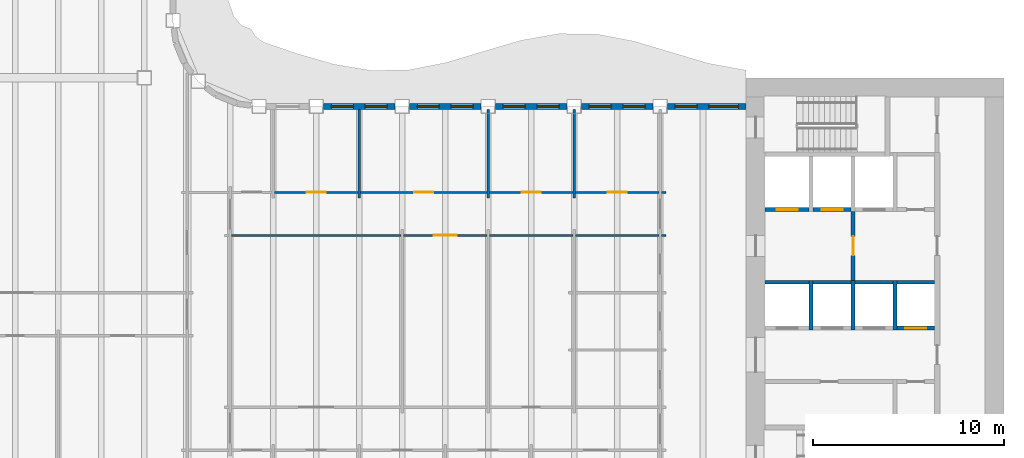
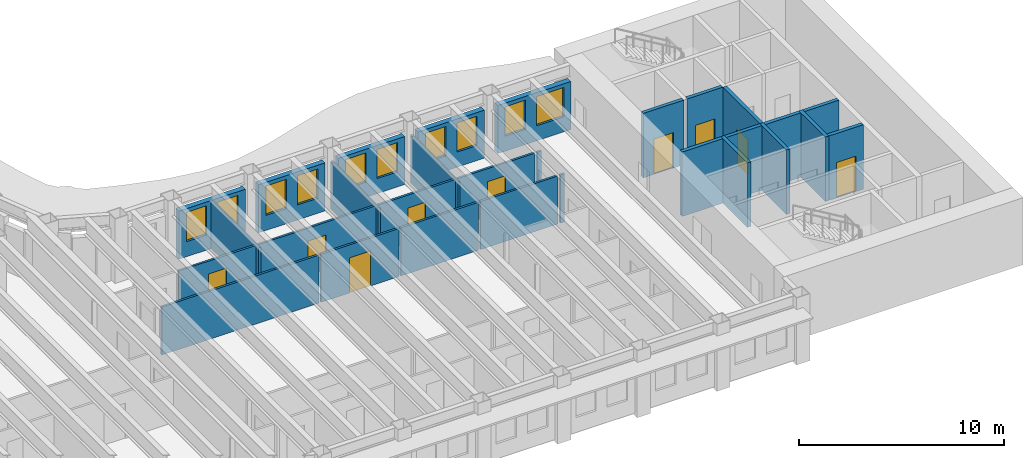
# One storey, part 7 of 17: 29 walls, 10 windows, 9 doors, 19 openings.
"""IFC4 building model written with IfcOpenShell, lengths in metres."""

from ifc_helpers import new_model, si_unit, direction, frame, frame_2d, origin, place, context, subcontext, project, spatial, rectangle, extrude, material, layer, layer_set, type_object, element, fill, save


model = new_model("IFC4")

# Units and contexts
model_context = context("Model", 3, precision=1e-05, world=origin(), true_north=direction((0.0, 1.0)))
body_context = subcontext(model_context, "Body", "Model", "MODEL_VIEW")
ifc_project = project(units=[si_unit("LENGTHUNIT", "METRE"), si_unit("AREAUNIT", "SQUARE_METRE"), si_unit("VOLUMEUNIT", "CUBIC_METRE"), si_unit("PLANEANGLEUNIT", "RADIAN"), si_unit("MASSUNIT", "GRAM", prefix="KILO")], contexts=[model_context])

# Site, building, storey
site_placement = place(None, origin())
site = spatial("IfcSite", under=ifc_project, at=site_placement, CompositionType="ELEMENT")
building_placement = place(site_placement, origin())
building = spatial("IfcBuilding", under=site, at=building_placement, Name="Sennacour Bend Tower", CompositionType="ELEMENT")
storey_placement = place(building_placement, frame((0.0, 0.0, 195.0)))
storey = spatial("IfcBuildingStorey", under=building, at=storey_placement, Name="L44", CompositionType="ELEMENT", Elevation=195.0)

# Walls
ifc_material_1 = material(Name="Plasterboard partition on steel studs", Category="steel")
ifc_layer_1 = layer(ifc_material_1, 0.1201171875, Name="Plasterboard partition on steel studs", Category="steel")
ifc_layer_set_1 = layer_set([ifc_layer_1], Name="Plasterboard partition on steel studs")
wall_type_1 = type_object("IfcWallType", Name="Partition 120", PredefinedType="PARTITIONING", material=ifc_layer_set_1)
for number, where, z_axis, x_axis, name in (
    (1, (33.75, 16.199951171875, 0.0), (0.0, 0.0, 1.0), (0.0, 1.0, 0.0), "P-L44-W029a"),
    (2, (40.5, 16.199951171875, 0.0), (0.0, 0.0, 1.0), (0.0, 1.0, 0.0), "P-L44-W033a"),
    (3, (45.0, 16.199951171875, 0.0), (0.0, 0.0, 1.0), (0.0, 1.0, 0.0), "P-L44-W036a"),
):
    element("IfcWall", number, at=place(storey_placement, frame(where, z_axis=z_axis, x_axis=x_axis)), inside=storey, type_object=wall_type_1, Name=name, PredefinedType="PARTITIONING", context=body_context, shape_type="SweptSolid", body=[
        extrude(rectangle(XDim=4.650146484375, YDim=0.1201171875, at=frame_2d((2.3251953125, 0.0))), origin(), (0.0, 0.0, 1.0), 2.8701171875),
    ])
wall_1_placement = place(storey_placement, frame((27.06005859375, 14.25, 0.0), z_axis=(0.0, 0.0, 1.0), x_axis=(1.0, 0.0, 0.0)))
element("IfcWall", 4, at=wall_1_placement, inside=storey, type_object=wall_type_1, Name="P-L44-W066ab", PredefinedType="PARTITIONING", context=body_context, shape_type="SweptSolid", body=[
    extrude(rectangle(XDim=8.8798828125, YDim=0.1201171875, at=frame_2d((4.43994140625, 0.0))), origin(), (0.0, 0.0, 1.0), 2.8701171875),
])

# Wall, opening, door
wall_2_placement = place(storey_placement, frame((36.06005859375, 14.25, 0.0), z_axis=(0.0, 0.0, 1.0), x_axis=(1.0, 0.0, 0.0)))
wall_2 = element("IfcWall", 5, at=wall_2_placement, inside=storey, type_object=wall_type_1, Name="P-L44-W066ac", PredefinedType="PARTITIONING", context=body_context, shape_type="SweptSolid", body=[
    extrude(rectangle(XDim=4.3798828125, YDim=0.1201171875, at=frame_2d((2.18994140625, 0.0))), origin(), (0.0, 0.0, 1.0), 2.8701171875),
])
opening_1_placement = place(wall_2_placement, frame((1.58984375, 0.0, 0.0)))
opening_1 = element("IfcOpeningElement", 6, at=opening_1_placement, cuts=wall_2, Name="Opening MD", PredefinedType="OPENING", context=body_context, shape_type="SweptSolid", body=[
    extrude(rectangle(XDim=1.199951171875, YDim=2.10009765625, at=frame_2d((0.60009765625, 1.050048828125))), frame((0.0, 0.070068359375, 0.0), z_axis=(0.0, -1.0, 0.0), x_axis=(1.0, 0.0, 0.0)), (0.0, 0.0, 1.0), 0.14013671875),
])
ifc_material_2 = material(Name="Timber", Category="wood")
door_type_1 = type_object("IfcDoorType", Name="DR-MEETING-1200", OperationType="NOTDEFINED", PredefinedType="DOOR", material=ifc_material_2)
door_1_placement = place(opening_1_placement, origin())
door_1 = element("IfcDoor", 7, at=door_1_placement, inside=storey, type_object=door_type_1, Name="Door", OperationType="SINGLE_SWING_LEFT", OverallHeight=2.10009765625, OverallWidth=1.199951171875, PredefinedType="DOOR", context=body_context, shape_type="SweptSolid", body=[
    extrude(rectangle(XDim=1.199951171875, YDim=2.10009765625, at=frame_2d((0.60009765625, 1.050048828125))), frame((0.0, 0.02490234375, 0.0), z_axis=(0.0, -1.0, 0.0), x_axis=(1.0, 0.0, 0.0)), (0.0, 0.0, 1.0), 0.050048828125),
])
fill(opening_1, door_1)

# Walls
for number, where, z_axis, x_axis, name in (
    (8, (40.56005859375, 14.25, 0.0), (0.0, 0.0, 1.0), (1.0, 0.0, 0.0), "P-L44-W066ad"),
    (9, (45.06005859375, 14.25, 0.0), (0.0, 0.0, 1.0), (1.0, 0.0, 0.0), "P-L44-W066ae"),
):
    element("IfcWall", number, at=place(storey_placement, frame(where, z_axis=z_axis, x_axis=x_axis)), inside=storey, type_object=wall_type_1, Name=name, PredefinedType="PARTITIONING", context=body_context, shape_type="SweptSolid", body=[
        extrude(rectangle(XDim=4.3798828125, YDim=0.1201171875, at=frame_2d((2.18994140625, 0.0))), origin(), (0.0, 0.0, 1.0), 2.8701171875),
    ])
wall_3_placement = place(storey_placement, frame((49.56005859375, 14.25, 0.0), z_axis=(0.0, 0.0, 1.0), x_axis=(1.0, 0.0, 0.0)))
element("IfcWall", 10, at=wall_3_placement, inside=storey, type_object=wall_type_1, Name="P-L44-W066af", PredefinedType="PARTITIONING", context=body_context, shape_type="SweptSolid", body=[
    extrude(rectangle(XDim=0.239990234375, YDim=0.1201171875, at=frame_2d((0.1201171875, 0.0))), origin(), (0.0, 0.0, 1.0), 2.8701171875),
])

# Wall, opening, door
wall_4_placement = place(storey_placement, frame((29.31005859375, 16.5, 0.0), z_axis=(0.0, 0.0, 1.0), x_axis=(1.0, 0.0, 0.0)))
wall_4 = element("IfcWall", 11, at=wall_4_placement, inside=storey, type_object=wall_type_1, Name="P-L44-W070ad", PredefinedType="PARTITIONING", context=body_context, shape_type="SweptSolid", body=[
    extrude(rectangle(XDim=4.3798828125, YDim=0.1201171875, at=frame_2d((2.18994140625, 0.0))), origin(), (0.0, 0.0, 1.0), 2.8701171875),
])
opening_2_placement = place(wall_4_placement, frame((1.68994140625, 0.0, 0.0)))
opening_2 = element("IfcOpeningElement", 12, at=opening_2_placement, cuts=wall_4, Name="Opening OD2", PredefinedType="OPENING", context=body_context, shape_type="SweptSolid", body=[
    extrude(rectangle(XDim=1.0, YDim=2.10009765625, at=frame_2d((0.5, 1.050048828125))), frame((0.0, 0.070068359375, 0.0), z_axis=(0.0, -1.0, 0.0), x_axis=(1.0, 0.0, 0.0)), (0.0, 0.0, 1.0), 0.14013671875),
])
door_type_2 = type_object("IfcDoorType", Name="DR-OFFICE-1000", OperationType="NOTDEFINED", PredefinedType="DOOR", material=ifc_material_2)
door_2_placement = place(opening_2_placement, origin())
door_2 = element("IfcDoor", 13, at=door_2_placement, inside=storey, type_object=door_type_2, Name="Door", OperationType="SINGLE_SWING_LEFT", OverallHeight=2.10009765625, OverallWidth=1.0, PredefinedType="DOOR", context=body_context, shape_type="SweptSolid", body=[
    extrude(rectangle(XDim=1.0, YDim=2.10009765625, at=frame_2d((0.5, 1.050048828125))), frame((0.0, 0.02490234375, 0.0), z_axis=(0.0, -1.0, 0.0), x_axis=(1.0, 0.0, 0.0)), (0.0, 0.0, 1.0), 0.050048828125),
])
fill(opening_2, door_2)

wall_5_placement = place(storey_placement, frame((33.81005859375, 16.5, 0.0), z_axis=(0.0, 0.0, 1.0), x_axis=(1.0, 0.0, 0.0)))
wall_5 = element("IfcWall", 14, at=wall_5_placement, inside=storey, type_object=wall_type_1, Name="P-L44-W070ae", PredefinedType="PARTITIONING", context=body_context, shape_type="SweptSolid", body=[
    extrude(rectangle(XDim=6.6298828125, YDim=0.1201171875, at=frame_2d((3.31494140625, 0.0))), origin(), (0.0, 0.0, 1.0), 2.8701171875),
])
opening_3_placement = place(wall_5_placement, frame((2.81494140625, 0.0, 0.0)))
opening_3 = element("IfcOpeningElement", 15, at=opening_3_placement, cuts=wall_5, Name="Opening OD2", PredefinedType="OPENING", context=body_context, shape_type="SweptSolid", body=[
    extrude(rectangle(XDim=1.0, YDim=2.10009765625, at=frame_2d((0.5, 1.050048828125))), frame((0.0, 0.070068359375, 0.0), z_axis=(0.0, -1.0, 0.0), x_axis=(1.0, 0.0, 0.0)), (0.0, 0.0, 1.0), 0.14013671875),
])
door_3_placement = place(opening_3_placement, origin())
door_3 = element("IfcDoor", 16, at=door_3_placement, inside=storey, type_object=door_type_2, Name="Door", OperationType="SINGLE_SWING_LEFT", OverallHeight=2.10009765625, OverallWidth=1.0, PredefinedType="DOOR", context=body_context, shape_type="SweptSolid", body=[
    extrude(rectangle(XDim=1.0, YDim=2.10009765625, at=frame_2d((0.5, 1.050048828125))), frame((0.0, 0.02490234375, 0.0), z_axis=(0.0, -1.0, 0.0), x_axis=(1.0, 0.0, 0.0)), (0.0, 0.0, 1.0), 0.050048828125),
])
fill(opening_3, door_3)

wall_6_placement = place(storey_placement, frame((40.56005859375, 16.5, 0.0), z_axis=(0.0, 0.0, 1.0), x_axis=(1.0, 0.0, 0.0)))
wall_6 = element("IfcWall", 17, at=wall_6_placement, inside=storey, type_object=wall_type_1, Name="P-L44-W070af", PredefinedType="PARTITIONING", context=body_context, shape_type="SweptSolid", body=[
    extrude(rectangle(XDim=4.3798828125, YDim=0.1201171875, at=frame_2d((2.18994140625, 0.0))), origin(), (0.0, 0.0, 1.0), 2.8701171875),
])
opening_4_placement = place(wall_6_placement, frame((1.68994140625, 0.0, 0.0)))
opening_4 = element("IfcOpeningElement", 18, at=opening_4_placement, cuts=wall_6, Name="Opening OD2", PredefinedType="OPENING", context=body_context, shape_type="SweptSolid", body=[
    extrude(rectangle(XDim=1.0, YDim=2.10009765625, at=frame_2d((0.5, 1.050048828125))), frame((0.0, 0.070068359375, 0.0), z_axis=(0.0, -1.0, 0.0), x_axis=(1.0, 0.0, 0.0)), (0.0, 0.0, 1.0), 0.14013671875),
])
door_4_placement = place(opening_4_placement, origin())
door_4 = element("IfcDoor", 19, at=door_4_placement, inside=storey, type_object=door_type_2, Name="Door", OperationType="SINGLE_SWING_LEFT", OverallHeight=2.10009765625, OverallWidth=1.0, PredefinedType="DOOR", context=body_context, shape_type="SweptSolid", body=[
    extrude(rectangle(XDim=1.0, YDim=2.10009765625, at=frame_2d((0.5, 1.050048828125))), frame((0.0, 0.02490234375, 0.0), z_axis=(0.0, -1.0, 0.0), x_axis=(1.0, 0.0, 0.0)), (0.0, 0.0, 1.0), 0.050048828125),
])
fill(opening_4, door_4)

wall_7_placement = place(storey_placement, frame((45.06005859375, 16.5, 0.0), z_axis=(0.0, 0.0, 1.0), x_axis=(1.0, 0.0, 0.0)))
wall_7 = element("IfcWall", 20, at=wall_7_placement, inside=storey, type_object=wall_type_1, Name="P-L44-W070ag", PredefinedType="PARTITIONING", context=body_context, shape_type="SweptSolid", body=[
    extrude(rectangle(XDim=4.3798828125, YDim=0.1201171875, at=frame_2d((2.18994140625, 0.0))), origin(), (0.0, 0.0, 1.0), 2.8701171875),
])
opening_5_placement = place(wall_7_placement, frame((1.68994140625, 0.0, 0.0)))
opening_5 = element("IfcOpeningElement", 21, at=opening_5_placement, cuts=wall_7, Name="Opening MD2", PredefinedType="OPENING", context=body_context, shape_type="SweptSolid", body=[
    extrude(rectangle(XDim=1.0, YDim=2.10009765625, at=frame_2d((0.5, 1.050048828125))), frame((0.0, 0.070068359375, 0.0), z_axis=(0.0, -1.0, 0.0), x_axis=(1.0, 0.0, 0.0)), (0.0, 0.0, 1.0), 0.14013671875),
])
door_type_3 = type_object("IfcDoorType", Name="DR-MEETING-1000", OperationType="NOTDEFINED", PredefinedType="DOOR", material=ifc_material_2)
door_5_placement = place(opening_5_placement, origin())
door_5 = element("IfcDoor", 22, at=door_5_placement, inside=storey, type_object=door_type_3, Name="Door", OperationType="SINGLE_SWING_LEFT", OverallHeight=2.10009765625, OverallWidth=1.0, PredefinedType="DOOR", context=body_context, shape_type="SweptSolid", body=[
    extrude(rectangle(XDim=1.0, YDim=2.10009765625, at=frame_2d((0.5, 1.050048828125))), frame((0.0, 0.02490234375, 0.0), z_axis=(0.0, -1.0, 0.0), x_axis=(1.0, 0.0, 0.0)), (0.0, 0.0, 1.0), 0.050048828125),
])
fill(opening_5, door_5)

# Wall
wall_8_placement = place(storey_placement, frame((49.56005859375, 16.5, 0.0), z_axis=(0.0, 0.0, 1.0), x_axis=(1.0, 0.0, 0.0)))
element("IfcWall", 23, at=wall_8_placement, inside=storey, type_object=wall_type_1, Name="P-L44-W070ah", PredefinedType="PARTITIONING", context=body_context, shape_type="SweptSolid", body=[
    extrude(rectangle(XDim=0.239990234375, YDim=0.1201171875, at=frame_2d((0.1201171875, 0.0))), origin(), (0.0, 0.0, 1.0), 2.8701171875),
])

# Wall, opening, door
ifc_material_3 = material(Name="Fire-rated plasterboard partition on steel studs", Category="steel")
ifc_layer_2 = layer(ifc_material_3, 0.199951171875, Name="Fire-rated plasterboard partition on steel studs", Category="steel")
ifc_layer_set_2 = layer_set([ifc_layer_2], Name="Fire-rated plasterboard partition on steel studs")
wall_type_2 = type_object("IfcWallType", Name="Rated partition 200 EI 90", PredefinedType="PARTITIONING", material=ifc_layer_set_2)
wall_9_placement = place(storey_placement, frame((59.60009765625, 11.89990234375, 0.0), z_axis=(0.0, 0.0, 1.0), x_axis=(0.0, 1.0, 0.0)))
wall_9 = element("IfcWall", 24, at=wall_9_placement, inside=storey, type_object=wall_type_2, Name="P-L44-W042", PredefinedType="PARTITIONING", context=body_context, shape_type="SweptSolid", body=[
    extrude(rectangle(XDim=3.60009765625, YDim=0.199951171875, at=frame_2d((1.800048828125, 0.0))), origin(), (0.0, 0.0, 1.0), 3.85009765625),
])
opening_6_placement = place(wall_9_placement, frame((1.300048828125, 0.0, 0.0)))
opening_6 = element("IfcOpeningElement", 25, at=opening_6_placement, cuts=wall_9, Name="Opening FD2", PredefinedType="OPENING", context=body_context, shape_type="SweptSolid", body=[
    extrude(rectangle(XDim=1.0, YDim=2.10009765625, at=frame_2d((0.5, 1.050048828125))), frame((0.0, 0.10986328125, 0.0), z_axis=(0.0, -1.0, 0.0), x_axis=(1.0, 0.0, 0.0)), (0.0, 0.0, 1.0), 0.219970703125),
])
ifc_material_4 = material(Name="Painted steel", Category="steel")
door_type_4 = type_object("IfcDoorType", Name="DR-FFL-1000", OperationType="NOTDEFINED", PredefinedType="DOOR", material=ifc_material_4)
door_6_placement = place(opening_6_placement, origin())
door_6 = element("IfcDoor", 26, at=door_6_placement, inside=storey, type_object=door_type_4, Name="Door", OperationType="SINGLE_SWING_LEFT", OverallHeight=2.10009765625, OverallWidth=1.0, PredefinedType="DOOR", context=body_context, shape_type="SweptSolid", body=[
    extrude(rectangle(XDim=1.0, YDim=2.10009765625, at=frame_2d((0.5, 1.050048828125))), frame((0.0, 0.02490234375, 0.0), z_axis=(0.0, -1.0, 0.0), x_axis=(1.0, 0.0, 0.0)), (0.0, 0.0, 1.0), 0.050048828125),
])
fill(opening_6, door_6)

# Wall, openings, windows
ifc_material_5 = material(Name="Warm limestone cladding", Category="masonry")
ifc_layer_3 = layer(ifc_material_5, 0.050048828125, Name="Warm limestone cladding", Category="masonry")
ifc_material_6 = material(Name="Precast concrete C40/50", Category="concrete")
ifc_layer_4 = layer(ifc_material_6, 0.25, Name="Precast concrete C40/50", Category="concrete")
ifc_layer_set_3 = layer_set([ifc_layer_3, ifc_layer_4], Name="Precast concrete C40/50 with limestone cladding")
wall_type_3 = type_object("IfcWallType", Name="STONE-CLAD PRECAST SPANDREL 300", PredefinedType="STANDARD", material=ifc_layer_set_3)
wall_10_placement = place(storey_placement, frame((54.0, 21.0, 0.0), z_axis=(0.0, 0.0, 1.0), x_axis=(-1.0, 0.0, 0.0)))
wall_10 = element("IfcWall", 27, at=wall_10_placement, inside=storey, type_object=wall_type_3, Name="Stone spandrel and pier wall L44 06.00", PredefinedType="STANDARD", context=body_context, shape_type="SweptSolid", body=[
    extrude(rectangle(XDim=4.125, YDim=0.300048828125, at=frame_2d((2.0625, 0.0))), origin(), (0.0, 0.0, 1.0), 2.8701171875),
])
opening_7_placement = place(wall_10_placement, frame((0.39990234375, 0.0, 0.89990234375)))
opening_7 = element("IfcOpeningElement", 28, at=opening_7_placement, cuts=wall_10, Name="Opening W12", PredefinedType="OPENING", context=body_context, shape_type="SweptSolid", body=[
    extrude(rectangle(XDim=1.550048828125, YDim=1.75, at=frame_2d((0.77490234375, 0.875))), frame((0.0, 0.16015625, 0.0), z_axis=(0.0, -1.0, 0.0), x_axis=(1.0, 0.0, 0.0)), (0.0, 0.0, 1.0), 0.320068359375),
])
opening_8_placement = place(wall_10_placement, frame((2.5625, 0.0, 0.89990234375)))
opening_8 = element("IfcOpeningElement", 29, at=opening_8_placement, cuts=wall_10, Name="Opening W23", PredefinedType="OPENING", context=body_context, shape_type="SweptSolid", body=[
    extrude(rectangle(XDim=1.14990234375, YDim=1.75, at=frame_2d((0.574951171875, 0.875))), frame((0.0, 0.16015625, 0.0), z_axis=(0.0, -1.0, 0.0), x_axis=(1.0, 0.0, 0.0)), (0.0, 0.0, 1.0), 0.320068359375),
])
ifc_material_7 = material(Name="Clear low-emissivity glass", Category="glass")
window_type_1 = type_object("IfcWindowType", Name="WIN-RIBBON-1150x1750", PartitioningType="SINGLE_PANEL", PredefinedType="WINDOW", material=ifc_material_7)
window_1_placement = place(opening_8_placement, origin())
window_1 = element("IfcWindow", 30, at=window_1_placement, inside=storey, type_object=window_type_1, Name="Ribbon window L44 06.00.1", OverallHeight=1.75, OverallWidth=1.14990234375, PartitioningType="SINGLE_PANEL", PredefinedType="WINDOW", context=body_context, shape_type="SweptSolid", body=[
    extrude(rectangle(XDim=1.14990234375, YDim=1.75, at=frame_2d((0.574951171875, 0.875))), frame((0.0, 0.030029296875, 0.0), z_axis=(0.0, -1.0, 0.0), x_axis=(1.0, 0.0, 0.0)), (0.0, 0.0, 1.0), 0.06005859375),
])
fill(opening_8, window_1)
window_type_2 = type_object("IfcWindowType", Name="WIN-RIBBON-1550x1750", PartitioningType="SINGLE_PANEL", PredefinedType="WINDOW", material=ifc_material_7)
window_2_placement = place(opening_7_placement, origin())
window_2 = element("IfcWindow", 31, at=window_2_placement, inside=storey, type_object=window_type_2, Name="Ribbon window L44 06.00.0", OverallHeight=1.75, OverallWidth=1.550048828125, PartitioningType="SINGLE_PANEL", PredefinedType="WINDOW", context=body_context, shape_type="SweptSolid", body=[
    extrude(rectangle(XDim=1.550048828125, YDim=1.75, at=frame_2d((0.77490234375, 0.875))), frame((0.0, 0.030029296875, 0.0), z_axis=(0.0, -1.0, 0.0), x_axis=(1.0, 0.0, 0.0)), (0.0, 0.0, 1.0), 0.06005859375),
])
fill(opening_7, window_2)

wall_11_placement = place(storey_placement, frame((49.125, 21.0, 0.0), z_axis=(0.0, 0.0, 1.0), x_axis=(-1.0, 0.0, 0.0)))
wall_11 = element("IfcWall", 32, at=wall_11_placement, inside=storey, type_object=wall_type_3, Name="Stone spandrel and pier wall L44 06.01", PredefinedType="STANDARD", context=body_context, shape_type="SweptSolid", body=[
    extrude(rectangle(XDim=3.75, YDim=0.300048828125, at=frame_2d((1.875, 0.0))), origin(), (0.0, 0.0, 1.0), 2.8701171875),
])
opening_9_placement = place(wall_11_placement, frame((0.41259765625, 0.0, 0.89990234375)))
opening_9 = element("IfcOpeningElement", 33, at=opening_9_placement, cuts=wall_11, Name="Opening W23", PredefinedType="OPENING", context=body_context, shape_type="SweptSolid", body=[
    extrude(rectangle(XDim=1.14990234375, YDim=1.75, at=frame_2d((0.574951171875, 0.875))), frame((0.0, 0.16015625, 0.0), z_axis=(0.0, -1.0, 0.0), x_axis=(1.0, 0.0, 0.0)), (0.0, 0.0, 1.0), 0.320068359375),
])
opening_10_placement = place(wall_11_placement, frame((2.1875, 0.0, 0.89990234375)))
opening_10 = element("IfcOpeningElement", 34, at=opening_10_placement, cuts=wall_11, Name="Opening W23", PredefinedType="OPENING", context=body_context, shape_type="SweptSolid", body=[
    extrude(rectangle(XDim=1.14990234375, YDim=1.75, at=frame_2d((0.574951171875, 0.875))), frame((0.0, 0.16015625, 0.0), z_axis=(0.0, -1.0, 0.0), x_axis=(1.0, 0.0, 0.0)), (0.0, 0.0, 1.0), 0.320068359375),
])
window_3_placement = place(opening_9_placement, origin())
window_3 = element("IfcWindow", 35, at=window_3_placement, inside=storey, type_object=window_type_1, Name="Ribbon window L44 06.01.0", OverallHeight=1.75, OverallWidth=1.14990234375, PartitioningType="SINGLE_PANEL", PredefinedType="WINDOW", context=body_context, shape_type="SweptSolid", body=[
    extrude(rectangle(XDim=1.14990234375, YDim=1.75, at=frame_2d((0.574951171875, 0.875))), frame((0.0, 0.030029296875, 0.0), z_axis=(0.0, -1.0, 0.0), x_axis=(1.0, 0.0, 0.0)), (0.0, 0.0, 1.0), 0.06005859375),
])
fill(opening_9, window_3)
window_4_placement = place(opening_10_placement, origin())
window_4 = element("IfcWindow", 36, at=window_4_placement, inside=storey, type_object=window_type_1, Name="Ribbon window L44 06.01.1", OverallHeight=1.75, OverallWidth=1.14990234375, PartitioningType="SINGLE_PANEL", PredefinedType="WINDOW", context=body_context, shape_type="SweptSolid", body=[
    extrude(rectangle(XDim=1.14990234375, YDim=1.75, at=frame_2d((0.574951171875, 0.875))), frame((0.0, 0.030029296875, 0.0), z_axis=(0.0, -1.0, 0.0), x_axis=(1.0, 0.0, 0.0)), (0.0, 0.0, 1.0), 0.06005859375),
])
fill(opening_10, window_4)

wall_12_placement = place(storey_placement, frame((44.625, 21.0, 0.0), z_axis=(0.0, 0.0, 1.0), x_axis=(-1.0, 0.0, 0.0)))
wall_12 = element("IfcWall", 37, at=wall_12_placement, inside=storey, type_object=wall_type_3, Name="Stone spandrel and pier wall L44 06.02", PredefinedType="STANDARD", context=body_context, shape_type="SweptSolid", body=[
    extrude(rectangle(XDim=3.75, YDim=0.300048828125, at=frame_2d((1.875, 0.0))), origin(), (0.0, 0.0, 1.0), 2.8701171875),
])
opening_11_placement = place(wall_12_placement, frame((0.41259765625, 0.0, 0.89990234375)))
opening_11 = element("IfcOpeningElement", 38, at=opening_11_placement, cuts=wall_12, Name="Opening W23", PredefinedType="OPENING", context=body_context, shape_type="SweptSolid", body=[
    extrude(rectangle(XDim=1.14990234375, YDim=1.75, at=frame_2d((0.574951171875, 0.875))), frame((0.0, 0.16015625, 0.0), z_axis=(0.0, -1.0, 0.0), x_axis=(1.0, 0.0, 0.0)), (0.0, 0.0, 1.0), 0.320068359375),
])
opening_12_placement = place(wall_12_placement, frame((2.1875, 0.0, 0.89990234375)))
opening_12 = element("IfcOpeningElement", 39, at=opening_12_placement, cuts=wall_12, Name="Opening W23", PredefinedType="OPENING", context=body_context, shape_type="SweptSolid", body=[
    extrude(rectangle(XDim=1.14990234375, YDim=1.75, at=frame_2d((0.574951171875, 0.875))), frame((0.0, 0.16015625, 0.0), z_axis=(0.0, -1.0, 0.0), x_axis=(1.0, 0.0, 0.0)), (0.0, 0.0, 1.0), 0.320068359375),
])
window_5_placement = place(opening_11_placement, origin())
window_5 = element("IfcWindow", 40, at=window_5_placement, inside=storey, type_object=window_type_1, Name="Ribbon window L44 06.02.0", OverallHeight=1.75, OverallWidth=1.14990234375, PartitioningType="SINGLE_PANEL", PredefinedType="WINDOW", context=body_context, shape_type="SweptSolid", body=[
    extrude(rectangle(XDim=1.14990234375, YDim=1.75, at=frame_2d((0.574951171875, 0.875))), frame((0.0, 0.030029296875, 0.0), z_axis=(0.0, -1.0, 0.0), x_axis=(1.0, 0.0, 0.0)), (0.0, 0.0, 1.0), 0.06005859375),
])
fill(opening_11, window_5)
window_6_placement = place(opening_12_placement, origin())
window_6 = element("IfcWindow", 41, at=window_6_placement, inside=storey, type_object=window_type_1, Name="Ribbon window L44 06.02.1", OverallHeight=1.75, OverallWidth=1.14990234375, PartitioningType="SINGLE_PANEL", PredefinedType="WINDOW", context=body_context, shape_type="SweptSolid", body=[
    extrude(rectangle(XDim=1.14990234375, YDim=1.75, at=frame_2d((0.574951171875, 0.875))), frame((0.0, 0.030029296875, 0.0), z_axis=(0.0, -1.0, 0.0), x_axis=(1.0, 0.0, 0.0)), (0.0, 0.0, 1.0), 0.06005859375),
])
fill(opening_12, window_6)

wall_13_placement = place(storey_placement, frame((40.125, 21.0, 0.0), z_axis=(0.0, 0.0, 1.0), x_axis=(-1.0, 0.0, 0.0)))
wall_13 = element("IfcWall", 42, at=wall_13_placement, inside=storey, type_object=wall_type_3, Name="Stone spandrel and pier wall L44 06.03", PredefinedType="STANDARD", context=body_context, shape_type="SweptSolid", body=[
    extrude(rectangle(XDim=3.75, YDim=0.300048828125, at=frame_2d((1.875, 0.0))), origin(), (0.0, 0.0, 1.0), 2.8701171875),
])
opening_13_placement = place(wall_13_placement, frame((0.41259765625, 0.0, 0.89990234375)))
opening_13 = element("IfcOpeningElement", 43, at=opening_13_placement, cuts=wall_13, Name="Opening W23", PredefinedType="OPENING", context=body_context, shape_type="SweptSolid", body=[
    extrude(rectangle(XDim=1.14990234375, YDim=1.75, at=frame_2d((0.574951171875, 0.875))), frame((0.0, 0.16015625, 0.0), z_axis=(0.0, -1.0, 0.0), x_axis=(1.0, 0.0, 0.0)), (0.0, 0.0, 1.0), 0.320068359375),
])
opening_14_placement = place(wall_13_placement, frame((2.1875, 0.0, 0.89990234375)))
opening_14 = element("IfcOpeningElement", 44, at=opening_14_placement, cuts=wall_13, Name="Opening W23", PredefinedType="OPENING", context=body_context, shape_type="SweptSolid", body=[
    extrude(rectangle(XDim=1.14990234375, YDim=1.75, at=frame_2d((0.574951171875, 0.875))), frame((0.0, 0.16015625, 0.0), z_axis=(0.0, -1.0, 0.0), x_axis=(1.0, 0.0, 0.0)), (0.0, 0.0, 1.0), 0.320068359375),
])
window_7_placement = place(opening_13_placement, origin())
window_7 = element("IfcWindow", 45, at=window_7_placement, inside=storey, type_object=window_type_1, Name="Ribbon window L44 06.03.0", OverallHeight=1.75, OverallWidth=1.14990234375, PartitioningType="SINGLE_PANEL", PredefinedType="WINDOW", context=body_context, shape_type="SweptSolid", body=[
    extrude(rectangle(XDim=1.14990234375, YDim=1.75, at=frame_2d((0.574951171875, 0.875))), frame((0.0, 0.030029296875, 0.0), z_axis=(0.0, -1.0, 0.0), x_axis=(1.0, 0.0, 0.0)), (0.0, 0.0, 1.0), 0.06005859375),
])
fill(opening_13, window_7)
window_8_placement = place(opening_14_placement, origin())
window_8 = element("IfcWindow", 46, at=window_8_placement, inside=storey, type_object=window_type_1, Name="Ribbon window L44 06.03.1", OverallHeight=1.75, OverallWidth=1.14990234375, PartitioningType="SINGLE_PANEL", PredefinedType="WINDOW", context=body_context, shape_type="SweptSolid", body=[
    extrude(rectangle(XDim=1.14990234375, YDim=1.75, at=frame_2d((0.574951171875, 0.875))), frame((0.0, 0.030029296875, 0.0), z_axis=(0.0, -1.0, 0.0), x_axis=(1.0, 0.0, 0.0)), (0.0, 0.0, 1.0), 0.06005859375),
])
fill(opening_14, window_8)

wall_14_placement = place(storey_placement, frame((35.625, 21.0, 0.0), z_axis=(0.0, 0.0, 1.0), x_axis=(-1.0, 0.0, 0.0)))
wall_14 = element("IfcWall", 47, at=wall_14_placement, inside=storey, type_object=wall_type_3, Name="Stone spandrel and pier wall L44 06.04", PredefinedType="STANDARD", context=body_context, shape_type="SweptSolid", body=[
    extrude(rectangle(XDim=3.75, YDim=0.300048828125, at=frame_2d((1.875, 0.0))), origin(), (0.0, 0.0, 1.0), 2.8701171875),
])
opening_15_placement = place(wall_14_placement, frame((0.41259765625, 0.0, 0.89990234375)))
opening_15 = element("IfcOpeningElement", 48, at=opening_15_placement, cuts=wall_14, Name="Opening W23", PredefinedType="OPENING", context=body_context, shape_type="SweptSolid", body=[
    extrude(rectangle(XDim=1.14990234375, YDim=1.75, at=frame_2d((0.574951171875, 0.875))), frame((0.0, 0.16015625, 0.0), z_axis=(0.0, -1.0, 0.0), x_axis=(1.0, 0.0, 0.0)), (0.0, 0.0, 1.0), 0.320068359375),
])
opening_16_placement = place(wall_14_placement, frame((2.1875, 0.0, 0.89990234375)))
opening_16 = element("IfcOpeningElement", 49, at=opening_16_placement, cuts=wall_14, Name="Opening W23", PredefinedType="OPENING", context=body_context, shape_type="SweptSolid", body=[
    extrude(rectangle(XDim=1.14990234375, YDim=1.75, at=frame_2d((0.574951171875, 0.875))), frame((0.0, 0.16015625, 0.0), z_axis=(0.0, -1.0, 0.0), x_axis=(1.0, 0.0, 0.0)), (0.0, 0.0, 1.0), 0.320068359375),
])
window_9_placement = place(opening_15_placement, origin())
window_9 = element("IfcWindow", 50, at=window_9_placement, inside=storey, type_object=window_type_1, Name="Ribbon window L44 06.04.0", OverallHeight=1.75, OverallWidth=1.14990234375, PartitioningType="SINGLE_PANEL", PredefinedType="WINDOW", context=body_context, shape_type="SweptSolid", body=[
    extrude(rectangle(XDim=1.14990234375, YDim=1.75, at=frame_2d((0.574951171875, 0.875))), frame((0.0, 0.030029296875, 0.0), z_axis=(0.0, -1.0, 0.0), x_axis=(1.0, 0.0, 0.0)), (0.0, 0.0, 1.0), 0.06005859375),
])
fill(opening_15, window_9)
window_10_placement = place(opening_16_placement, origin())
window_10 = element("IfcWindow", 51, at=window_10_placement, inside=storey, type_object=window_type_1, Name="Ribbon window L44 06.04.1", OverallHeight=1.75, OverallWidth=1.14990234375, PartitioningType="SINGLE_PANEL", PredefinedType="WINDOW", context=body_context, shape_type="SweptSolid", body=[
    extrude(rectangle(XDim=1.14990234375, YDim=1.75, at=frame_2d((0.574951171875, 0.875))), frame((0.0, 0.030029296875, 0.0), z_axis=(0.0, -1.0, 0.0), x_axis=(1.0, 0.0, 0.0)), (0.0, 0.0, 1.0), 0.06005859375),
])
fill(opening_16, window_10)

# Walls
ifc_material_8 = material(Name="Concrete C50/60", Category="concrete")
ifc_layer_5 = layer(ifc_material_8, 0.199951171875, Name="Concrete C50/60", Category="concrete")
ifc_layer_set_4 = layer_set([ifc_layer_5], Name="Concrete C50/60")
wall_type_4 = type_object("IfcWallType", Name="Shaft wall 200", PredefinedType="SOLIDWALL", material=ifc_layer_set_4)
for number, where, z_axis, x_axis, name in (
    (52, (57.39990234375, 9.300048828125, 0.0), (0.0, 0.0, 1.0), (0.0, 1.0, 0.0), "P-L44-W039"),
    (53, (59.60009765625, 9.300048828125, 0.0), (0.0, 0.0, 1.0), (0.0, 1.0, 0.0), "P-L44-W041"),
    (54, (61.800048828125, 9.300048828125, 0.0), (0.0, 0.0, 1.0), (0.0, 1.0, 0.0), "P-L44-W047"),
):
    element("IfcWall", number, at=place(storey_placement, frame(where, z_axis=z_axis, x_axis=x_axis)), inside=storey, type_object=wall_type_4, Name=name, PredefinedType="SOLIDWALL", context=body_context, shape_type="SweptSolid", body=[
        extrude(rectangle(XDim=2.599853515625, YDim=0.199951171875, at=frame_2d((1.2998046875, 0.0))), origin(), (0.0, 0.0, 1.0), 3.85009765625),
    ])

# Wall, opening, door
wall_15_placement = place(storey_placement, frame((61.89990234375, 9.39990234375, 0.0), z_axis=(0.0, 0.0, 1.0), x_axis=(1.0, 0.0, 0.0)))
wall_15 = element("IfcWall", 55, at=wall_15_placement, inside=storey, type_object=wall_type_4, Name="P-L44-W062d", PredefinedType="SOLIDWALL", context=body_context, shape_type="SweptSolid", body=[
    extrude(rectangle(XDim=1.9501953125, YDim=0.199951171875, at=frame_2d((0.97509765625, 0.0))), origin(), (0.0, 0.0, 1.0), 3.85009765625),
])
opening_17_placement = place(wall_15_placement, frame((0.425048828125, 0.0, 0.011962890625)))
opening_17 = element("IfcOpeningElement", 56, at=opening_17_placement, cuts=wall_15, Name="Opening LD", PredefinedType="OPENING", context=body_context, shape_type="SweptSolid", body=[
    extrude(rectangle(XDim=1.10009765625, YDim=2.10009765625, at=frame_2d((0.550048828125, 1.050048828125))), frame((0.0, 0.10986328125, 0.0), z_axis=(0.0, -1.0, 0.0), x_axis=(1.0, 0.0, 0.0)), (0.0, 0.0, 1.0), 0.219970703125),
])
ifc_material_9 = material(Name="Stainless steel", Category="steel")
door_type_5 = type_object("IfcDoorType", Name="DR-LANDING-1100", OperationType="NOTDEFINED", PredefinedType="DOOR", material=ifc_material_9)
door_7_placement = place(opening_17_placement, origin())
door_7 = element("IfcDoor", 57, at=door_7_placement, inside=storey, type_object=door_type_5, Name="Lift landing door HA4", OperationType="SLIDING_TO_RIGHT", OverallHeight=2.10009765625, OverallWidth=1.10009765625, PredefinedType="DOOR", context=body_context, shape_type="SweptSolid", body=[
    extrude(rectangle(XDim=1.10009765625, YDim=2.10009765625, at=frame_2d((0.550048828125, 1.050048828125))), frame((0.0, 0.02490234375, 0.0), z_axis=(0.0, -1.0, 0.0), x_axis=(1.0, 0.0, 0.0)), (0.0, 0.0, 1.0), 0.050048828125),
])
fill(opening_17, door_7)

# Walls
wall_16_placement = place(storey_placement, frame((55.0, 11.800048828125, 0.0), z_axis=(0.0, 0.0, 1.0), x_axis=(1.0, 0.0, 0.0)))
element("IfcWall", 58, at=wall_16_placement, inside=storey, type_object=wall_type_4, Name="P-L44-W065a", PredefinedType="SOLIDWALL", context=body_context, shape_type="SweptSolid", body=[
    extrude(rectangle(XDim=2.300048828125, YDim=0.199951171875, at=frame_2d((1.14990234375, 0.0))), origin(), (0.0, 0.0, 1.0), 3.85009765625),
])
for number, where, z_axis, x_axis, name in (
    (59, (57.5, 11.800048828125, 0.0), (0.0, 0.0, 1.0), (1.0, 0.0, 0.0), "P-L44-W065b"),
    (60, (59.699951171875, 11.800048828125, 0.0), (0.0, 0.0, 1.0), (1.0, 0.0, 0.0), "P-L44-W065c"),
):
    element("IfcWall", number, at=place(storey_placement, frame(where, z_axis=z_axis, x_axis=x_axis)), inside=storey, type_object=wall_type_4, Name=name, PredefinedType="SOLIDWALL", context=body_context, shape_type="SweptSolid", body=[
        extrude(rectangle(XDim=2.0, YDim=0.199951171875, at=frame_2d((1.0, 0.0))), origin(), (0.0, 0.0, 1.0), 3.85009765625),
    ])
wall_17_placement = place(storey_placement, frame((61.89990234375, 11.800048828125, 0.0), z_axis=(0.0, 0.0, 1.0), x_axis=(1.0, 0.0, 0.0)))
element("IfcWall", 61, at=wall_17_placement, inside=storey, type_object=wall_type_4, Name="P-L44-W065d", PredefinedType="SOLIDWALL", context=body_context, shape_type="SweptSolid", body=[
    extrude(rectangle(XDim=1.9501953125, YDim=0.199951171875, at=frame_2d((0.97509765625, 0.0))), origin(), (0.0, 0.0, 1.0), 3.85009765625),
])

# Wall, opening, door
wall_18_placement = place(storey_placement, frame((55.0, 15.60009765625, 0.0), z_axis=(0.0, 0.0, 1.0), x_axis=(1.0, 0.0, 0.0)))
wall_18 = element("IfcWall", 62, at=wall_18_placement, inside=storey, type_object=wall_type_4, Name="P-L44-W067a", PredefinedType="SOLIDWALL", context=body_context, shape_type="SweptSolid", body=[
    extrude(rectangle(XDim=2.300048828125, YDim=0.199951171875, at=frame_2d((1.14990234375, 0.0))), origin(), (0.0, 0.0, 1.0), 3.85009765625),
])
opening_18_placement = place(wall_18_placement, frame((0.60009765625, 0.0, 0.011962890625)))
opening_18 = element("IfcOpeningElement", 63, at=opening_18_placement, cuts=wall_18, Name="Opening FLD", PredefinedType="OPENING", context=body_context, shape_type="SweptSolid", body=[
    extrude(rectangle(XDim=1.10009765625, YDim=2.10009765625, at=frame_2d((0.550048828125, 1.050048828125))), frame((0.0, 0.10986328125, 0.0), z_axis=(0.0, -1.0, 0.0), x_axis=(1.0, 0.0, 0.0)), (0.0, 0.0, 1.0), 0.219970703125),
])
door_type_6 = type_object("IfcDoorType", Name="DR-FF-LANDING-1100", OperationType="NOTDEFINED", PredefinedType="DOOR", material=ifc_material_9)
door_8_placement = place(opening_18_placement, origin())
door_8 = element("IfcDoor", 64, at=door_8_placement, inside=storey, type_object=door_type_6, Name="Fire service lift landing door FA1", OperationType="SLIDING_TO_LEFT", OverallHeight=2.10009765625, OverallWidth=1.10009765625, PredefinedType="DOOR", context=body_context, shape_type="SweptSolid", body=[
    extrude(rectangle(XDim=1.10009765625, YDim=2.10009765625, at=frame_2d((0.550048828125, 1.050048828125))), frame((0.0, 0.02490234375, 0.0), z_axis=(0.0, -1.0, 0.0), x_axis=(1.0, 0.0, 0.0)), (0.0, 0.0, 1.0), 0.050048828125),
])
fill(opening_18, door_8)

wall_19_placement = place(storey_placement, frame((57.5, 15.60009765625, 0.0), z_axis=(0.0, 0.0, 1.0), x_axis=(1.0, 0.0, 0.0)))
wall_19 = element("IfcWall", 65, at=wall_19_placement, inside=storey, type_object=wall_type_4, Name="P-L44-W067b", PredefinedType="SOLIDWALL", context=body_context, shape_type="SweptSolid", body=[
    extrude(rectangle(XDim=2.0, YDim=0.199951171875, at=frame_2d((1.0, 0.0))), origin(), (0.0, 0.0, 1.0), 3.85009765625),
])
opening_19_placement = place(wall_19_placement, frame((0.449951171875, 0.0, 0.011962890625)))
opening_19 = element("IfcOpeningElement", 66, at=opening_19_placement, cuts=wall_19, Name="Opening FLD", PredefinedType="OPENING", context=body_context, shape_type="SweptSolid", body=[
    extrude(rectangle(XDim=1.10009765625, YDim=2.10009765625, at=frame_2d((0.550048828125, 1.050048828125))), frame((0.0, 0.10986328125, 0.0), z_axis=(0.0, -1.0, 0.0), x_axis=(1.0, 0.0, 0.0)), (0.0, 0.0, 1.0), 0.219970703125),
])
door_9_placement = place(opening_19_placement, origin())
door_9 = element("IfcDoor", 67, at=door_9_placement, inside=storey, type_object=door_type_6, Name="Fire service lift landing door FA2", OperationType="SLIDING_TO_RIGHT", OverallHeight=2.10009765625, OverallWidth=1.10009765625, PredefinedType="DOOR", context=body_context, shape_type="SweptSolid", body=[
    extrude(rectangle(XDim=1.10009765625, YDim=2.10009765625, at=frame_2d((0.550048828125, 1.050048828125))), frame((0.0, 0.02490234375, 0.0), z_axis=(0.0, -1.0, 0.0), x_axis=(1.0, 0.0, 0.0)), (0.0, 0.0, 1.0), 0.050048828125),
])
fill(opening_19, door_9)

save(model, "model.ifc")
